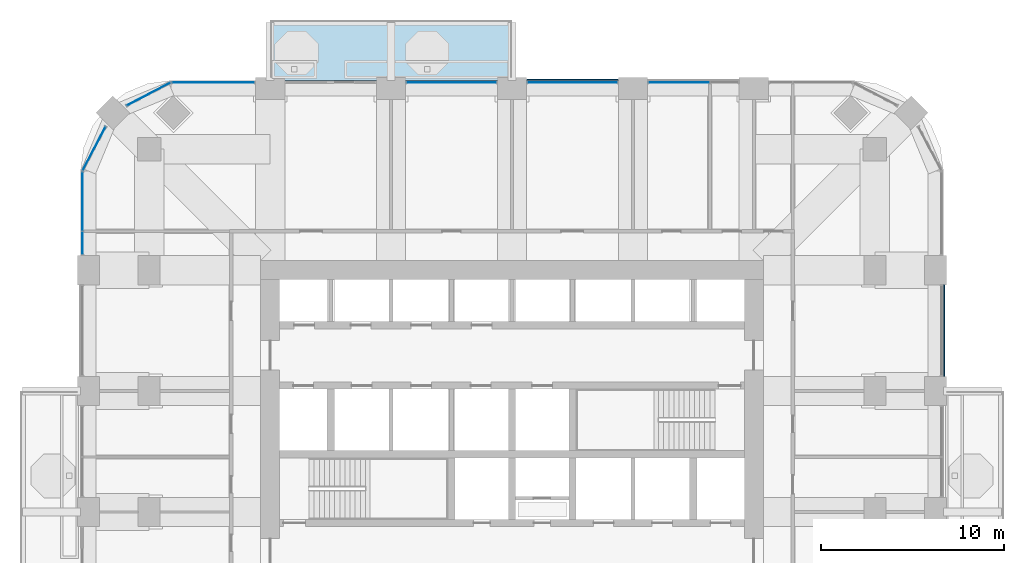
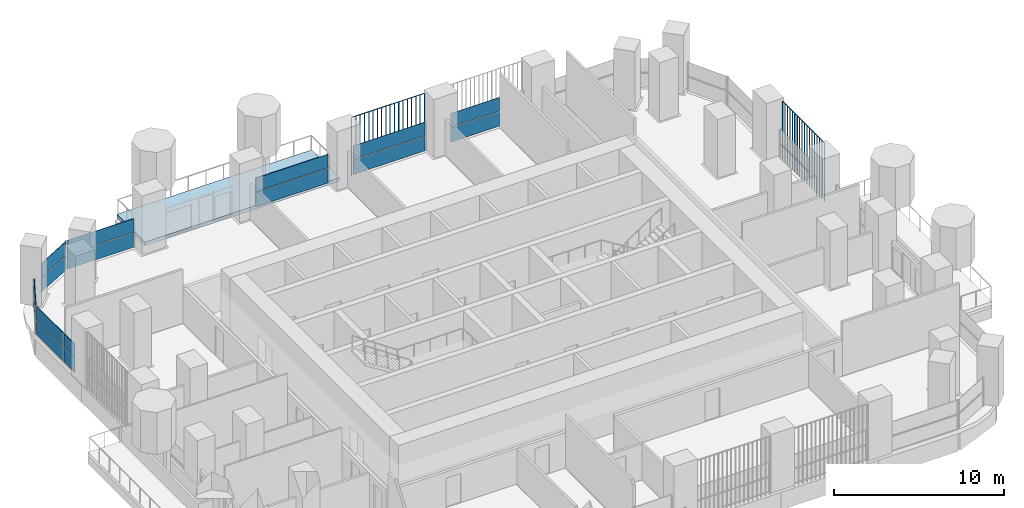
# One storey, part 10 of 20: 18 plates, 1 slab, 7 elements without a shape of their own.
"""IFC4 building model written with IfcOpenShell, lengths in metres."""

from ifc_helpers import new_model, si_unit, direction, frame, origin, origin_2d, place, context, subcontext, project, spatial, polyline, rectangle, outline, extrude, material, layer, layer_set, type_object, element, aggregate, save


model = new_model("IFC4")

# Units and contexts
model_context = context("Model", 3, precision=1e-05, world=origin(), true_north=direction((0.0, 1.0)))
body_context = subcontext(model_context, "Body", "Model", "MODEL_VIEW")
ifc_project = project(units=[si_unit("LENGTHUNIT", "METRE"), si_unit("AREAUNIT", "SQUARE_METRE"), si_unit("VOLUMEUNIT", "CUBIC_METRE"), si_unit("PLANEANGLEUNIT", "RADIAN"), si_unit("MASSUNIT", "GRAM", prefix="KILO")], contexts=[model_context])

# Site, building, storey
site_placement = place(None, origin())
site = spatial("IfcSite", under=ifc_project, at=site_placement, CompositionType="ELEMENT")
building_placement = place(site_placement, origin())
building = spatial("IfcBuilding", under=site, at=building_placement, Name="Cobogo Forest Laboratory Tower", CompositionType="ELEMENT")
storey_placement = place(building_placement, frame((0.0, 0.0, 218.699951171875)))
storey = spatial("IfcBuildingStorey", under=building, at=storey_placement, Name="L50", CompositionType="ELEMENT", Elevation=218.699951171875)

# Slab
ifc_material_1 = material(Name="Concrete HA-40 (C40/50)", Category="concrete")
ifc_layer_1 = layer(ifc_material_1, 0.25)
ifc_layer_set_1 = layer_set([ifc_layer_1], Name="Balcony slab 250")
slab_type = type_object("IfcSlabType", Name="Balcony slab 250", PredefinedType="FLOOR", material=ifc_layer_set_1)
slab_placement = place(storey_placement, frame((0.0, 0.0, -0.25)))
element("IfcSlab", 1, at=slab_placement, inside=storey, type_object=slab_type, Name="Balcony BAL-N1 L50", PredefinedType="FLOOR", context=body_context, shape_type="SweptSolid", body=[
    extrude(outline(polyline([(13.199951171875, 43.35009765625), (26.39990234375, 43.35009765625), (26.39990234375, 46.64990234375), (13.199951171875, 46.64990234375), (13.199951171875, 43.35009765625)])), origin(), (0.0, 0.0, 1.0), 0.25),
])

# Curtain wall, plates
ifc_material_2 = material(Name="Aluminium curtain wall", Category="aluminium")
curtain_wall_type = type_object("IfcCurtainWallType", Name="CW-2 unitised curtain wall, solar control glazing, laboratory floors zones C and D", PredefinedType="USERDEFINED", material=ifc_material_2)
curtain_wall_1_placement = place(storey_placement, origin())
curtain_wall_1 = element("IfcCurtainWall", 2, at=curtain_wall_1_placement, inside=storey, type_object=curtain_wall_type, Name="Curtain wall 17 L50", ObjectType="UNITISED CURTAIN WALL", PredefinedType="USERDEFINED")
ifc_material_3 = material(Name="Solar control insulated glass", Category="glass")
ifc_layer_2 = layer(ifc_material_3, 0.031982421875)
ifc_layer_set_2 = layer_set([ifc_layer_2], Name="GP-2 solar control glass unit 32")
plate_type_1 = type_object("IfcPlateType", Name="GP-2 solar control glass unit 32", PredefinedType="CURTAIN_PANEL", material=ifc_layer_set_2)
plate_1_placement = place(storey_placement, frame((35.514892578125, 43.25, 0.0), z_axis=(0.0, 0.0, 1.0), x_axis=(-1.0, 0.0, 0.0)))
plate_1 = element("IfcPlate", 3, at=plate_1_placement, type_object=plate_type_1, Name="CW-2 panel 2.1", PredefinedType="CURTAIN_PANEL", context=body_context, shape_type="SweptSolid", body=[
    extrude(rectangle(XDim=3.31005859375, YDim=0.031982421875, at=origin_2d()), origin(), (0.0, 0.0, 1.0), 1.02001953125),
])
plate_2_placement = place(storey_placement, frame((35.514892578125, 43.25, 1.080078125), z_axis=(0.0, 0.0, 1.0), x_axis=(-1.0, 0.0, 0.0)))
plate_2 = element("IfcPlate", 4, at=plate_2_placement, type_object=plate_type_1, Name="CW-2 panel 2.2", PredefinedType="CURTAIN_PANEL", context=body_context, shape_type="SweptSolid", body=[
    extrude(rectangle(XDim=3.31005859375, YDim=0.031982421875, at=origin_2d()), origin(), (0.0, 0.0, 1.0), 0.969970703125),
])
aggregate(curtain_wall_1, [plate_1, plate_2])

curtain_wall_2_placement = place(storey_placement, origin())
curtain_wall_2 = element("IfcCurtainWall", 5, at=curtain_wall_2_placement, inside=storey, type_object=curtain_wall_type, Name="Curtain wall 18 L50", ObjectType="UNITISED CURTAIN WALL", PredefinedType="USERDEFINED")
plate_3_placement = place(storey_placement, frame((29.699951171875, 43.25, 0.0), z_axis=(0.0, 0.0, 1.0), x_axis=(-1.0, 0.0, 0.0)))
plate_3 = element("IfcPlate", 6, at=plate_3_placement, type_object=plate_type_1, Name="CW-2 panel 1.1", PredefinedType="CURTAIN_PANEL", context=body_context, shape_type="SweptSolid", body=[
    extrude(rectangle(XDim=4.8798828125, YDim=0.031982421875, at=origin_2d()), origin(), (0.0, 0.0, 1.0), 1.02001953125),
])
plate_4_placement = place(storey_placement, frame((29.699951171875, 43.25, 1.080078125), z_axis=(0.0, 0.0, 1.0), x_axis=(-1.0, 0.0, 0.0)))
plate_4 = element("IfcPlate", 7, at=plate_4_placement, type_object=plate_type_1, Name="CW-2 panel 1.2", PredefinedType="CURTAIN_PANEL", context=body_context, shape_type="SweptSolid", body=[
    extrude(rectangle(XDim=4.8798828125, YDim=0.031982421875, at=origin_2d()), origin(), (0.0, 0.0, 1.0), 0.969970703125),
])
aggregate(curtain_wall_2, [plate_3, plate_4])

curtain_wall_3_placement = place(storey_placement, origin())
curtain_wall_3 = element("IfcCurtainWall", 8, at=curtain_wall_3_placement, inside=storey, type_object=curtain_wall_type, Name="Curtain wall 19 L50", ObjectType="UNITISED CURTAIN WALL", PredefinedType="USERDEFINED")
plate_5_placement = place(storey_placement, frame((23.10009765625, 43.25, 0.0), z_axis=(0.0, 0.0, 1.0), x_axis=(-1.0, 0.0, 0.0)))
plate_5 = element("IfcPlate", 9, at=plate_5_placement, type_object=plate_type_1, Name="CW-2 panel 1.1", PredefinedType="CURTAIN_PANEL", context=body_context, shape_type="SweptSolid", body=[
    extrude(rectangle(XDim=4.8798828125, YDim=0.031982421875, at=origin_2d()), origin(), (0.0, 0.0, 1.0), 1.02001953125),
])
plate_6_placement = place(storey_placement, frame((23.10009765625, 43.25, 1.080078125), z_axis=(0.0, 0.0, 1.0), x_axis=(-1.0, 0.0, 0.0)))
plate_6 = element("IfcPlate", 10, at=plate_6_placement, type_object=plate_type_1, Name="CW-2 panel 1.2", PredefinedType="CURTAIN_PANEL", context=body_context, shape_type="SweptSolid", body=[
    extrude(rectangle(XDim=4.8798828125, YDim=0.031982421875, at=origin_2d()), origin(), (0.0, 0.0, 1.0), 0.969970703125),
])
aggregate(curtain_wall_3, [plate_5, plate_6])

curtain_wall_4_placement = place(storey_placement, origin())
curtain_wall_4 = element("IfcCurtainWall", 11, at=curtain_wall_4_placement, inside=storey, type_object=curtain_wall_type, Name="Curtain wall 21 L50", ObjectType="UNITISED CURTAIN WALL", PredefinedType="USERDEFINED")
plate_7_placement = place(storey_placement, frame((10.10009765625, 43.25, 0.0), z_axis=(0.0, 0.0, 1.0), x_axis=(-1.0, 0.0, 0.0)))
plate_7 = element("IfcPlate", 12, at=plate_7_placement, type_object=plate_type_1, Name="CW-2 panel 1.1", PredefinedType="CURTAIN_PANEL", context=body_context, shape_type="SweptSolid", body=[
    extrude(rectangle(XDim=4.47998046875, YDim=0.031982421875, at=origin_2d()), origin(), (0.0, 0.0, 1.0), 1.02001953125),
])
plate_8_placement = place(storey_placement, frame((10.10009765625, 43.25, 1.080078125), z_axis=(0.0, 0.0, 1.0), x_axis=(-1.0, 0.0, 0.0)))
plate_8 = element("IfcPlate", 13, at=plate_8_placement, type_object=plate_type_1, Name="CW-2 panel 1.2", PredefinedType="CURTAIN_PANEL", context=body_context, shape_type="SweptSolid", body=[
    extrude(rectangle(XDim=4.47998046875, YDim=0.031982421875, at=origin_2d()), origin(), (0.0, 0.0, 1.0), 0.969970703125),
])
aggregate(curtain_wall_4, [plate_7, plate_8])

curtain_wall_5_placement = place(storey_placement, origin())
curtain_wall_5 = element("IfcCurtainWall", 14, at=curtain_wall_5_placement, inside=storey, type_object=curtain_wall_type, Name="Curtain wall 22 L50", ObjectType="UNITISED CURTAIN WALL", PredefinedType="USERDEFINED")
plate_9_placement = place(storey_placement, frame((6.57080078125, 42.605712890625, 0.0), z_axis=(0.0, 0.0, 1.0), x_axis=(-0.885686547075, -0.464283685186, 0.0)))
plate_9 = element("IfcPlate", 15, at=plate_9_placement, type_object=plate_type_1, Name="CW-2 panel 1.1", PredefinedType="CURTAIN_PANEL", context=body_context, shape_type="SweptSolid", body=[
    extrude(rectangle(XDim=2.655517578125, YDim=0.031982421875, at=origin_2d()), origin(), (0.0, 0.0, 1.0), 1.02001953125),
])
plate_10_placement = place(storey_placement, frame((6.57080078125, 42.605712890625, 1.080078125), z_axis=(0.0, 0.0, 1.0), x_axis=(-0.885686547075, -0.464283685186, 0.0)))
plate_10 = element("IfcPlate", 16, at=plate_10_placement, type_object=plate_type_1, Name="CW-2 panel 1.2", PredefinedType="CURTAIN_PANEL", context=body_context, shape_type="SweptSolid", body=[
    extrude(rectangle(XDim=2.655517578125, YDim=0.031982421875, at=origin_2d()), origin(), (0.0, 0.0, 1.0), 0.969970703125),
])
aggregate(curtain_wall_5, [plate_9, plate_10])

curtain_wall_6_placement = place(storey_placement, origin())
curtain_wall_6 = element("IfcCurtainWall", 17, at=curtain_wall_6_placement, inside=storey, type_object=curtain_wall_type, Name="Curtain wall 23 L50", ObjectType="UNITISED CURTAIN WALL", PredefinedType="USERDEFINED")
plate_11_placement = place(storey_placement, frame((3.59423828125, 39.629150390625, 0.0), z_axis=(0.0, 0.0, 1.0), x_axis=(-0.464283685186, -0.885686547075, 0.0)))
plate_11 = element("IfcPlate", 18, at=plate_11_placement, type_object=plate_type_1, Name="CW-2 panel 1.1", PredefinedType="CURTAIN_PANEL", context=body_context, shape_type="SweptSolid", body=[
    extrude(rectangle(XDim=2.655517578125, YDim=0.031982421875, at=origin_2d()), origin(), (0.0, 0.0, 1.0), 1.02001953125),
])
plate_12_placement = place(storey_placement, frame((3.59423828125, 39.629150390625, 1.080078125), z_axis=(0.0, 0.0, 1.0), x_axis=(-0.464283685186, -0.885686547075, 0.0)))
plate_12 = element("IfcPlate", 19, at=plate_12_placement, type_object=plate_type_1, Name="CW-2 panel 1.2", PredefinedType="CURTAIN_PANEL", context=body_context, shape_type="SweptSolid", body=[
    extrude(rectangle(XDim=2.655517578125, YDim=0.031982421875, at=origin_2d()), origin(), (0.0, 0.0, 1.0), 0.969970703125),
])
aggregate(curtain_wall_6, [plate_11, plate_12])

curtain_wall_7_placement = place(storey_placement, origin())
curtain_wall_7 = element("IfcCurtainWall", 20, at=curtain_wall_7_placement, inside=storey, type_object=curtain_wall_type, Name="Curtain wall 24 L50", ObjectType="UNITISED CURTAIN WALL", PredefinedType="USERDEFINED")
plate_13_placement = place(storey_placement, frame((2.949951171875, 36.74755859375, 0.0), z_axis=(0.0, 0.0, 1.0), x_axis=(0.0, -1.0, 0.0)))
plate_13 = element("IfcPlate", 21, at=plate_13_placement, type_object=plate_type_1, Name="CW-2 panel 1.1", PredefinedType="CURTAIN_PANEL", context=body_context, shape_type="SweptSolid", body=[
    extrude(rectangle(XDim=3.18505859375, YDim=0.031982421875, at=origin_2d()), origin(), (0.0, 0.0, 1.0), 1.02001953125),
])
plate_14_placement = place(storey_placement, frame((2.949951171875, 36.74755859375, 1.080078125), z_axis=(0.0, 0.0, 1.0), x_axis=(0.0, -1.0, 0.0)))
plate_14 = element("IfcPlate", 22, at=plate_14_placement, type_object=plate_type_1, Name="CW-2 panel 1.2", PredefinedType="CURTAIN_PANEL", context=body_context, shape_type="SweptSolid", body=[
    extrude(rectangle(XDim=3.18505859375, YDim=0.031982421875, at=origin_2d()), origin(), (0.0, 0.0, 1.0), 0.969970703125),
])
plate_15_placement = place(storey_placement, frame((2.949951171875, 34.4775390625, 0.0), z_axis=(0.0, 0.0, 1.0), x_axis=(0.0, -1.0, 0.0)))
plate_15 = element("IfcPlate", 23, at=plate_15_placement, type_object=plate_type_1, Name="CW-2 panel 2.1", PredefinedType="CURTAIN_PANEL", context=body_context, shape_type="SweptSolid", body=[
    extrude(rectangle(XDim=1.235107421875, YDim=0.031982421875, at=origin_2d()), origin(), (0.0, 0.0, 1.0), 1.02001953125),
])
plate_16_placement = place(storey_placement, frame((2.949951171875, 34.4775390625, 1.080078125), z_axis=(0.0, 0.0, 1.0), x_axis=(0.0, -1.0, 0.0)))
plate_16 = element("IfcPlate", 24, at=plate_16_placement, type_object=plate_type_1, Name="CW-2 panel 2.2", PredefinedType="CURTAIN_PANEL", context=body_context, shape_type="SweptSolid", body=[
    extrude(rectangle(XDim=1.235107421875, YDim=0.031982421875, at=origin_2d()), origin(), (0.0, 0.0, 1.0), 0.969970703125),
])
aggregate(curtain_wall_7, [plate_13, plate_14, plate_15, plate_16])

# Plates
ifc_material_4 = material(Name="Terracotta", Category="masonry")
plate_type_2 = type_object("IfcPlateType", Name="TB1 terracotta baguette screen", PredefinedType="USERDEFINED", material=ifc_material_4)
plate_17_placement = place(storey_placement, frame((49.977783203125, 27.231201171875, -0.14990234375)))
element("IfcPlate", 25, at=plate_17_placement, inside=storey, type_object=plate_type_2, Name="Baguette screen E3 L50", ObjectType="BAGUETTE SCREEN", PredefinedType="USERDEFINED", context=body_context, shape_type="SweptSolid", body=[
    extrude(outline(polyline([(0.02880859375, 0.011962890625), (0.011962890625, 0.02880859375), (-0.011962890625, 0.02880859375), (-0.02880859375, 0.011962890625), (-0.02880859375, -0.011962890625), (-0.011962890625, -0.02880859375), (0.011962890625, -0.02880859375), (0.02880859375, -0.011962890625), (0.02880859375, 0.011962890625)])), frame((0.0, 0.0, 4.168701171875), z_axis=(0.0, 1.0, 0.0), x_axis=(-1.0, 0.0, 0.0)), (0.0, 0.0, 1.0), 4.9375),
    extrude(outline(polyline([(0.02880859375, 0.011962890625), (0.011962890625, 0.02880859375), (-0.011962890625, 0.02880859375), (-0.02880859375, 0.011962890625), (-0.02880859375, -0.011962890625), (-0.011962890625, -0.02880859375), (0.011962890625, -0.02880859375), (0.02880859375, -0.011962890625), (0.02880859375, 0.011962890625)])), origin(), (0.0, 0.0, 1.0), 4.137451171875),
    extrude(outline(polyline([(0.02880859375, 0.011962890625), (0.011962890625, 0.02880859375), (-0.011962890625, 0.02880859375), (-0.02880859375, 0.011962890625), (-0.02880859375, -0.011962890625), (-0.011962890625, -0.02880859375), (0.011962890625, -0.02880859375), (0.02880859375, -0.011962890625), (0.02880859375, 0.011962890625)])), frame((0.0, 0.29052734375, 0.0)), (0.0, 0.0, 1.0), 4.137451171875),
    extrude(outline(polyline([(0.02880859375, 0.011962890625), (0.011962890625, 0.02880859375), (-0.011962890625, 0.02880859375), (-0.02880859375, 0.011962890625), (-0.02880859375, -0.011962890625), (-0.011962890625, -0.02880859375), (0.011962890625, -0.02880859375), (0.02880859375, -0.011962890625), (0.02880859375, 0.011962890625)])), frame((0.0, 0.580810546875, 0.0)), (0.0, 0.0, 1.0), 4.137451171875),
    extrude(outline(polyline([(0.02880859375, 0.011962890625), (0.011962890625, 0.02880859375), (-0.011962890625, 0.02880859375), (-0.02880859375, 0.011962890625), (-0.02880859375, -0.011962890625), (-0.011962890625, -0.02880859375), (0.011962890625, -0.02880859375), (0.02880859375, -0.011962890625), (0.02880859375, 0.011962890625)])), frame((0.0, 0.871337890625, 0.0)), (0.0, 0.0, 1.0), 4.137451171875),
    extrude(outline(polyline([(0.02880859375, 0.011962890625), (0.011962890625, 0.02880859375), (-0.011962890625, 0.02880859375), (-0.02880859375, 0.011962890625), (-0.02880859375, -0.011962890625), (-0.011962890625, -0.02880859375), (0.011962890625, -0.02880859375), (0.02880859375, -0.011962890625), (0.02880859375, 0.011962890625)])), frame((0.0, 1.161865234375, 0.0)), (0.0, 0.0, 1.0), 4.137451171875),
    extrude(outline(polyline([(0.02880859375, 0.011962890625), (0.011962890625, 0.02880859375), (-0.011962890625, 0.02880859375), (-0.02880859375, 0.011962890625), (-0.02880859375, -0.011962890625), (-0.011962890625, -0.02880859375), (0.011962890625, -0.02880859375), (0.02880859375, -0.011962890625), (0.02880859375, 0.011962890625)])), frame((0.0, 1.4521484375, 0.0)), (0.0, 0.0, 1.0), 4.137451171875),
    extrude(outline(polyline([(0.02880859375, 0.011962890625), (0.011962890625, 0.02880859375), (-0.011962890625, 0.02880859375), (-0.02880859375, 0.011962890625), (-0.02880859375, -0.011962890625), (-0.011962890625, -0.02880859375), (0.011962890625, -0.02880859375), (0.02880859375, -0.011962890625), (0.02880859375, 0.011962890625)])), frame((0.0, 1.74267578125, 0.0)), (0.0, 0.0, 1.0), 4.137451171875),
    extrude(outline(polyline([(0.02880859375, 0.011962890625), (0.011962890625, 0.02880859375), (-0.011962890625, 0.02880859375), (-0.02880859375, 0.011962890625), (-0.02880859375, -0.011962890625), (-0.011962890625, -0.02880859375), (0.011962890625, -0.02880859375), (0.02880859375, -0.011962890625), (0.02880859375, 0.011962890625)])), frame((0.0, 2.033203125, 0.0)), (0.0, 0.0, 1.0), 4.137451171875),
    extrude(outline(polyline([(0.02880859375, 0.011962890625), (0.011962890625, 0.02880859375), (-0.011962890625, 0.02880859375), (-0.02880859375, 0.011962890625), (-0.02880859375, -0.011962890625), (-0.011962890625, -0.02880859375), (0.011962890625, -0.02880859375), (0.02880859375, -0.011962890625), (0.02880859375, 0.011962890625)])), frame((0.0, 2.323486328125, 0.0)), (0.0, 0.0, 1.0), 4.137451171875),
    extrude(outline(polyline([(0.02880859375, 0.011962890625), (0.011962890625, 0.02880859375), (-0.011962890625, 0.02880859375), (-0.02880859375, 0.011962890625), (-0.02880859375, -0.011962890625), (-0.011962890625, -0.02880859375), (0.011962890625, -0.02880859375), (0.02880859375, -0.011962890625), (0.02880859375, 0.011962890625)])), frame((0.0, 2.614013671875, 0.0)), (0.0, 0.0, 1.0), 4.137451171875),
    extrude(outline(polyline([(0.02880859375, 0.011962890625), (0.011962890625, 0.02880859375), (-0.011962890625, 0.02880859375), (-0.02880859375, 0.011962890625), (-0.02880859375, -0.011962890625), (-0.011962890625, -0.02880859375), (0.011962890625, -0.02880859375), (0.02880859375, -0.011962890625), (0.02880859375, 0.011962890625)])), frame((0.0, 2.904296875, 0.0)), (0.0, 0.0, 1.0), 4.137451171875),
    extrude(outline(polyline([(0.02880859375, 0.011962890625), (0.011962890625, 0.02880859375), (-0.011962890625, 0.02880859375), (-0.02880859375, 0.011962890625), (-0.02880859375, -0.011962890625), (-0.011962890625, -0.02880859375), (0.011962890625, -0.02880859375), (0.02880859375, -0.011962890625), (0.02880859375, 0.011962890625)])), frame((0.0, 3.19482421875, 0.0)), (0.0, 0.0, 1.0), 4.137451171875),
    extrude(outline(polyline([(0.02880859375, 0.011962890625), (0.011962890625, 0.02880859375), (-0.011962890625, 0.02880859375), (-0.02880859375, 0.011962890625), (-0.02880859375, -0.011962890625), (-0.011962890625, -0.02880859375), (0.011962890625, -0.02880859375), (0.02880859375, -0.011962890625), (0.02880859375, 0.011962890625)])), frame((0.0, 3.4853515625, 0.0)), (0.0, 0.0, 1.0), 4.137451171875),
    extrude(outline(polyline([(0.02880859375, 0.011962890625), (0.011962890625, 0.02880859375), (-0.011962890625, 0.02880859375), (-0.02880859375, 0.011962890625), (-0.02880859375, -0.011962890625), (-0.011962890625, -0.02880859375), (0.011962890625, -0.02880859375), (0.02880859375, -0.011962890625), (0.02880859375, 0.011962890625)])), frame((0.0, 3.775634765625, 0.0)), (0.0, 0.0, 1.0), 4.137451171875),
    extrude(outline(polyline([(0.02880859375, 0.011962890625), (0.011962890625, 0.02880859375), (-0.011962890625, 0.02880859375), (-0.02880859375, 0.011962890625), (-0.02880859375, -0.011962890625), (-0.011962890625, -0.02880859375), (0.011962890625, -0.02880859375), (0.02880859375, -0.011962890625), (0.02880859375, 0.011962890625)])), frame((0.0, 4.066162109375, 0.0)), (0.0, 0.0, 1.0), 4.137451171875),
    extrude(outline(polyline([(0.02880859375, 0.011962890625), (0.011962890625, 0.02880859375), (-0.011962890625, 0.02880859375), (-0.02880859375, 0.011962890625), (-0.02880859375, -0.011962890625), (-0.011962890625, -0.02880859375), (0.011962890625, -0.02880859375), (0.02880859375, -0.011962890625), (0.02880859375, 0.011962890625)])), frame((0.0, 4.356689453125, 0.0)), (0.0, 0.0, 1.0), 4.137451171875),
    extrude(outline(polyline([(0.02880859375, 0.011962890625), (0.011962890625, 0.02880859375), (-0.011962890625, 0.02880859375), (-0.02880859375, 0.011962890625), (-0.02880859375, -0.011962890625), (-0.011962890625, -0.02880859375), (0.011962890625, -0.02880859375), (0.02880859375, -0.011962890625), (0.02880859375, 0.011962890625)])), frame((0.0, 4.64697265625, 0.0)), (0.0, 0.0, 1.0), 4.137451171875),
    extrude(outline(polyline([(0.02880859375, 0.011962890625), (0.011962890625, 0.02880859375), (-0.011962890625, 0.02880859375), (-0.02880859375, 0.011962890625), (-0.02880859375, -0.011962890625), (-0.011962890625, -0.02880859375), (0.011962890625, -0.02880859375), (0.02880859375, -0.011962890625), (0.02880859375, 0.011962890625)])), frame((0.0, 4.9375, 0.0)), (0.0, 0.0, 1.0), 4.137451171875),
])
plate_18_placement = place(storey_placement, frame((27.231201171875, 43.3779296875, -0.14990234375)))
element("IfcPlate", 26, at=plate_18_placement, inside=storey, type_object=plate_type_2, Name="Baguette screen N3 L50", ObjectType="BAGUETTE SCREEN", PredefinedType="USERDEFINED", context=body_context, shape_type="SweptSolid", body=[
    extrude(outline(polyline([(0.02880859375, 0.011962890625), (0.011962890625, 0.02880859375), (-0.011962890625, 0.02880859375), (-0.02880859375, 0.011962890625), (-0.02880859375, -0.011962890625), (-0.011962890625, -0.02880859375), (0.011962890625, -0.02880859375), (0.02880859375, -0.011962890625), (0.02880859375, 0.011962890625)])), frame((0.0, 0.0, 4.168701171875), z_axis=(1.0, 0.0, 0.0), x_axis=(0.0, 1.0, 0.0)), (0.0, 0.0, 1.0), 4.9375),
    extrude(outline(polyline([(0.02880859375, 0.011962890625), (0.011962890625, 0.02880859375), (-0.011962890625, 0.02880859375), (-0.02880859375, 0.011962890625), (-0.02880859375, -0.011962890625), (-0.011962890625, -0.02880859375), (0.011962890625, -0.02880859375), (0.02880859375, -0.011962890625), (0.02880859375, 0.011962890625)])), origin(), (0.0, 0.0, 1.0), 4.137451171875),
    extrude(outline(polyline([(0.02880859375, 0.011962890625), (0.011962890625, 0.02880859375), (-0.011962890625, 0.02880859375), (-0.02880859375, 0.011962890625), (-0.02880859375, -0.011962890625), (-0.011962890625, -0.02880859375), (0.011962890625, -0.02880859375), (0.02880859375, -0.011962890625), (0.02880859375, 0.011962890625)])), frame((0.29052734375, 0.0, 0.0)), (0.0, 0.0, 1.0), 4.137451171875),
    extrude(outline(polyline([(0.02880859375, 0.011962890625), (0.011962890625, 0.02880859375), (-0.011962890625, 0.02880859375), (-0.02880859375, 0.011962890625), (-0.02880859375, -0.011962890625), (-0.011962890625, -0.02880859375), (0.011962890625, -0.02880859375), (0.02880859375, -0.011962890625), (0.02880859375, 0.011962890625)])), frame((0.580810546875, 0.0, 0.0)), (0.0, 0.0, 1.0), 4.137451171875),
    extrude(outline(polyline([(0.02880859375, 0.011962890625), (0.011962890625, 0.02880859375), (-0.011962890625, 0.02880859375), (-0.02880859375, 0.011962890625), (-0.02880859375, -0.011962890625), (-0.011962890625, -0.02880859375), (0.011962890625, -0.02880859375), (0.02880859375, -0.011962890625), (0.02880859375, 0.011962890625)])), frame((0.871337890625, 0.0, 0.0)), (0.0, 0.0, 1.0), 4.137451171875),
    extrude(outline(polyline([(0.02880859375, 0.011962890625), (0.011962890625, 0.02880859375), (-0.011962890625, 0.02880859375), (-0.02880859375, 0.011962890625), (-0.02880859375, -0.011962890625), (-0.011962890625, -0.02880859375), (0.011962890625, -0.02880859375), (0.02880859375, -0.011962890625), (0.02880859375, 0.011962890625)])), frame((1.161865234375, 0.0, 0.0)), (0.0, 0.0, 1.0), 4.137451171875),
    extrude(outline(polyline([(0.02880859375, 0.011962890625), (0.011962890625, 0.02880859375), (-0.011962890625, 0.02880859375), (-0.02880859375, 0.011962890625), (-0.02880859375, -0.011962890625), (-0.011962890625, -0.02880859375), (0.011962890625, -0.02880859375), (0.02880859375, -0.011962890625), (0.02880859375, 0.011962890625)])), frame((1.4521484375, 0.0, 0.0)), (0.0, 0.0, 1.0), 4.137451171875),
    extrude(outline(polyline([(0.02880859375, 0.011962890625), (0.011962890625, 0.02880859375), (-0.011962890625, 0.02880859375), (-0.02880859375, 0.011962890625), (-0.02880859375, -0.011962890625), (-0.011962890625, -0.02880859375), (0.011962890625, -0.02880859375), (0.02880859375, -0.011962890625), (0.02880859375, 0.011962890625)])), frame((1.74267578125, 0.0, 0.0)), (0.0, 0.0, 1.0), 4.137451171875),
    extrude(outline(polyline([(0.02880859375, 0.011962890625), (0.011962890625, 0.02880859375), (-0.011962890625, 0.02880859375), (-0.02880859375, 0.011962890625), (-0.02880859375, -0.011962890625), (-0.011962890625, -0.02880859375), (0.011962890625, -0.02880859375), (0.02880859375, -0.011962890625), (0.02880859375, 0.011962890625)])), frame((2.033203125, 0.0, 0.0)), (0.0, 0.0, 1.0), 4.137451171875),
    extrude(outline(polyline([(0.02880859375, 0.011962890625), (0.011962890625, 0.02880859375), (-0.011962890625, 0.02880859375), (-0.02880859375, 0.011962890625), (-0.02880859375, -0.011962890625), (-0.011962890625, -0.02880859375), (0.011962890625, -0.02880859375), (0.02880859375, -0.011962890625), (0.02880859375, 0.011962890625)])), frame((2.323486328125, 0.0, 0.0)), (0.0, 0.0, 1.0), 4.137451171875),
    extrude(outline(polyline([(0.02880859375, 0.011962890625), (0.011962890625, 0.02880859375), (-0.011962890625, 0.02880859375), (-0.02880859375, 0.011962890625), (-0.02880859375, -0.011962890625), (-0.011962890625, -0.02880859375), (0.011962890625, -0.02880859375), (0.02880859375, -0.011962890625), (0.02880859375, 0.011962890625)])), frame((2.614013671875, 0.0, 0.0)), (0.0, 0.0, 1.0), 4.137451171875),
    extrude(outline(polyline([(0.02880859375, 0.011962890625), (0.011962890625, 0.02880859375), (-0.011962890625, 0.02880859375), (-0.02880859375, 0.011962890625), (-0.02880859375, -0.011962890625), (-0.011962890625, -0.02880859375), (0.011962890625, -0.02880859375), (0.02880859375, -0.011962890625), (0.02880859375, 0.011962890625)])), frame((2.904296875, 0.0, 0.0)), (0.0, 0.0, 1.0), 4.137451171875),
    extrude(outline(polyline([(0.02880859375, 0.011962890625), (0.011962890625, 0.02880859375), (-0.011962890625, 0.02880859375), (-0.02880859375, 0.011962890625), (-0.02880859375, -0.011962890625), (-0.011962890625, -0.02880859375), (0.011962890625, -0.02880859375), (0.02880859375, -0.011962890625), (0.02880859375, 0.011962890625)])), frame((3.19482421875, 0.0, 0.0)), (0.0, 0.0, 1.0), 4.137451171875),
    extrude(outline(polyline([(0.02880859375, 0.011962890625), (0.011962890625, 0.02880859375), (-0.011962890625, 0.02880859375), (-0.02880859375, 0.011962890625), (-0.02880859375, -0.011962890625), (-0.011962890625, -0.02880859375), (0.011962890625, -0.02880859375), (0.02880859375, -0.011962890625), (0.02880859375, 0.011962890625)])), frame((3.4853515625, 0.0, 0.0)), (0.0, 0.0, 1.0), 4.137451171875),
    extrude(outline(polyline([(0.02880859375, 0.011962890625), (0.011962890625, 0.02880859375), (-0.011962890625, 0.02880859375), (-0.02880859375, 0.011962890625), (-0.02880859375, -0.011962890625), (-0.011962890625, -0.02880859375), (0.011962890625, -0.02880859375), (0.02880859375, -0.011962890625), (0.02880859375, 0.011962890625)])), frame((3.775634765625, 0.0, 0.0)), (0.0, 0.0, 1.0), 4.137451171875),
    extrude(outline(polyline([(0.02880859375, 0.011962890625), (0.011962890625, 0.02880859375), (-0.011962890625, 0.02880859375), (-0.02880859375, 0.011962890625), (-0.02880859375, -0.011962890625), (-0.011962890625, -0.02880859375), (0.011962890625, -0.02880859375), (0.02880859375, -0.011962890625), (0.02880859375, 0.011962890625)])), frame((4.066162109375, 0.0, 0.0)), (0.0, 0.0, 1.0), 4.137451171875),
    extrude(outline(polyline([(0.02880859375, 0.011962890625), (0.011962890625, 0.02880859375), (-0.011962890625, 0.02880859375), (-0.02880859375, 0.011962890625), (-0.02880859375, -0.011962890625), (-0.011962890625, -0.02880859375), (0.011962890625, -0.02880859375), (0.02880859375, -0.011962890625), (0.02880859375, 0.011962890625)])), frame((4.356689453125, 0.0, 0.0)), (0.0, 0.0, 1.0), 4.137451171875),
    extrude(outline(polyline([(0.02880859375, 0.011962890625), (0.011962890625, 0.02880859375), (-0.011962890625, 0.02880859375), (-0.02880859375, 0.011962890625), (-0.02880859375, -0.011962890625), (-0.011962890625, -0.02880859375), (0.011962890625, -0.02880859375), (0.02880859375, -0.011962890625), (0.02880859375, 0.011962890625)])), frame((4.64697265625, 0.0, 0.0)), (0.0, 0.0, 1.0), 4.137451171875),
    extrude(outline(polyline([(0.02880859375, 0.011962890625), (0.011962890625, 0.02880859375), (-0.011962890625, 0.02880859375), (-0.02880859375, 0.011962890625), (-0.02880859375, -0.011962890625), (-0.011962890625, -0.02880859375), (0.011962890625, -0.02880859375), (0.02880859375, -0.011962890625), (0.02880859375, 0.011962890625)])), frame((4.9375, 0.0, 0.0)), (0.0, 0.0, 1.0), 4.137451171875),
])

save(model, "model.ifc")
